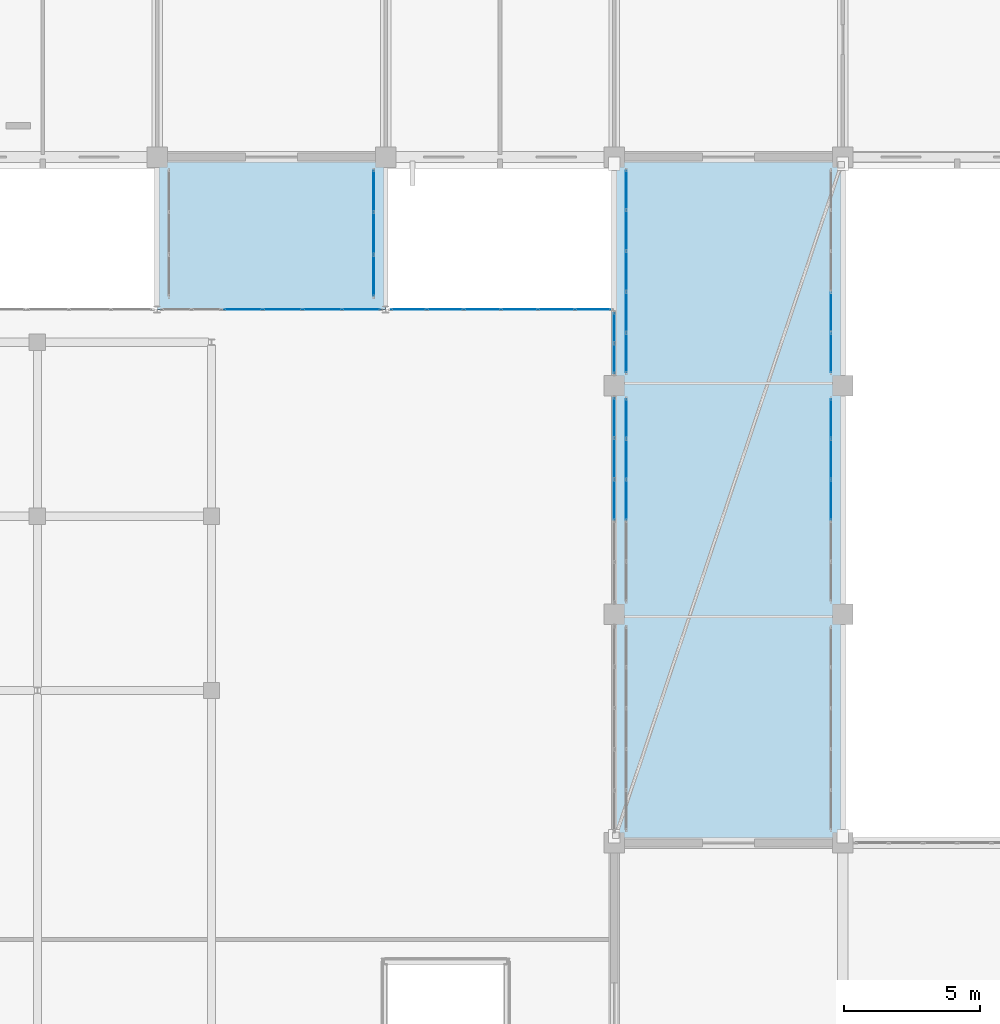
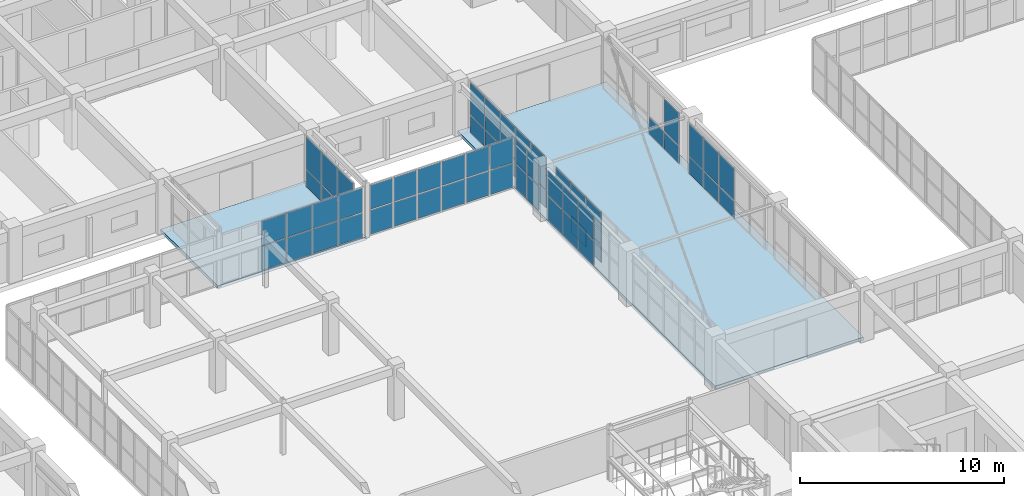
# One storey, part 154 of 200: 61 plates, 2 slabs, 9 elements without a shape of their own.
"""IFC4 building model written with IfcOpenShell, lengths in metres."""

from ifc_helpers import new_model, si_unit, direction, frame, origin, origin_2d, place, context, subcontext, project, spatial, polyline, rectangle, outline, extrude, material, layer, layer_set, type_object, element, aggregate, save


model = new_model("IFC4")

# Units and contexts
model_context = context("Model", 3, precision=1e-05, world=origin(), true_north=direction((0.0, 1.0)))
body_context = subcontext(model_context, "Body", "Model", "MODEL_VIEW")
ifc_project = project(units=[si_unit("LENGTHUNIT", "METRE"), si_unit("AREAUNIT", "SQUARE_METRE"), si_unit("VOLUMEUNIT", "CUBIC_METRE"), si_unit("PLANEANGLEUNIT", "RADIAN"), si_unit("MASSUNIT", "GRAM", prefix="KILO")], contexts=[model_context])

# Site, building, storey
site_placement = place(None, origin())
site = spatial("IfcSite", under=ifc_project, at=site_placement, CompositionType="ELEMENT")
building_placement = place(site_placement, origin())
building = spatial("IfcBuilding", under=site, at=building_placement, Name="Trelvath General Hospital", CompositionType="ELEMENT")
storey_placement = place(building_placement, frame((0.0, 0.0, 4.800048828125)))
storey = spatial("IfcBuildingStorey", under=building, at=storey_placement, Name="L01", CompositionType="ELEMENT", Elevation=4.800048828125)

# Slabs
ifc_material_1 = material(Name="Concrete C35/45", Category="concrete")
ifc_layer_1 = layer(ifc_material_1, 0.18994140625)
ifc_layer_set_1 = layer_set([ifc_layer_1], Name="Concrete C35/45")
slab_type = type_object("IfcSlabType", Name="BridgeDeck 190", PredefinedType="FLOOR", material=ifc_layer_set_1)
slab_1_placement = place(storey_placement, frame((0.0, 0.0, -0.18994140625)))
element("IfcSlab", 1, at=slab_1_placement, inside=storey, type_object=slab_type, Name="Courtyard Bridge Deck BRG-N-C L01", PredefinedType="FLOOR", context=body_context, shape_type="SweptSolid", body=[
    extrude(outline(polyline([(75.60009765625, 67.199951171875), (84.0, 67.199951171875), (84.0, 92.39990234375), (75.60009765625, 92.39990234375), (75.60009765625, 67.199951171875)])), origin(), (0.0, 0.0, 1.0), 0.18994140625),
])
slab_2_placement = place(storey_placement, frame((0.0, 0.0, -0.18994140625)))
element("IfcSlab", 2, at=slab_2_placement, inside=storey, type_object=slab_type, Name="Courtyard Bridge Deck BRG-N-W L01", PredefinedType="FLOOR", context=body_context, shape_type="SweptSolid", body=[
    extrude(outline(polyline([(58.800048828125, 86.800048828125), (67.199951171875, 86.800048828125), (67.199951171875, 92.39990234375), (58.800048828125, 92.39990234375), (58.800048828125, 86.800048828125)])), origin(), (0.0, 0.0, 1.0), 0.18994140625),
])

# Curtain wall, plates
ifc_material_2 = material(Name="Anodised aluminium and low-E glass", Category="aluminium")
ifc_layer_2 = layer(ifc_material_2, 0.14990234375)
ifc_layer_set_2 = layer_set([ifc_layer_2], Name="Anodised aluminium and low-E glass")
curtain_wall_type_1 = type_object("IfcCurtainWallType", Name="CW CrystalCube 583 306 15", PredefinedType="USERDEFINED", material=ifc_layer_set_2)
curtain_wall_1_placement = place(storey_placement, origin())
curtain_wall_1 = element("IfcCurtainWall", 3, at=curtain_wall_1_placement, inside=storey, type_object=curtain_wall_type_1, Name="Crystal Cube Curtain Wall CUBE-W-T0 N4 L01", ObjectType="Unitised Glazed Curtain Wall", PredefinedType="USERDEFINED")
ifc_material_3 = material(Name="Low-E laminated glass", Category="glass")
ifc_layer_3 = layer(ifc_material_3, 0.028076171875)
ifc_layer_set_3 = layer_set([ifc_layer_3], Name="Low-E laminated glass")
plate_type = type_object("IfcPlateType", Name="CurtainPanel Glass28", PredefinedType="CURTAIN_PANEL", material=ifc_layer_set_3)
plate_1_placement = place(storey_placement, frame((61.9638671875, 86.800048828125, 0.06005859375), z_axis=(0.0, 0.0, 1.0), x_axis=(1.0, 0.0, 0.0)))
plate_1 = element("IfcPlate", 4, at=plate_1_placement, type_object=plate_type, Name="CW-136 panel 1.1", PredefinedType="CURTAIN_PANEL", context=body_context, shape_type="SweptSolid", body=[
    extrude(rectangle(XDim=1.367431640625, YDim=0.028076171875, at=origin_2d()), origin(), (0.0, 0.0, 1.0), 1.43994140625),
])
plate_2_placement = place(storey_placement, frame((61.9638671875, 86.800048828125, 1.56005859375), z_axis=(0.0, 0.0, 1.0), x_axis=(1.0, 0.0, 0.0)))
plate_2 = element("IfcPlate", 5, at=plate_2_placement, type_object=plate_type, Name="CW-136 panel 1.2", PredefinedType="CURTAIN_PANEL", context=body_context, shape_type="SweptSolid", body=[
    extrude(rectangle(XDim=1.367431640625, YDim=0.028076171875, at=origin_2d()), origin(), (0.0, 0.0, 1.0), 1.43994140625),
])
plate_3_placement = place(storey_placement, frame((63.40625, 86.800048828125, 0.06005859375), z_axis=(0.0, 0.0, 1.0), x_axis=(1.0, 0.0, 0.0)))
plate_3 = element("IfcPlate", 6, at=plate_3_placement, type_object=plate_type, Name="CW-136 panel 2.1", PredefinedType="CURTAIN_PANEL", context=body_context, shape_type="SweptSolid", body=[
    extrude(rectangle(XDim=1.3974609375, YDim=0.028076171875, at=origin_2d()), origin(), (0.0, 0.0, 1.0), 1.43994140625),
])
plate_4_placement = place(storey_placement, frame((63.40625, 86.800048828125, 1.56005859375), z_axis=(0.0, 0.0, 1.0), x_axis=(1.0, 0.0, 0.0)))
plate_4 = element("IfcPlate", 7, at=plate_4_placement, type_object=plate_type, Name="CW-136 panel 2.2", PredefinedType="CURTAIN_PANEL", context=body_context, shape_type="SweptSolid", body=[
    extrude(rectangle(XDim=1.3974609375, YDim=0.028076171875, at=origin_2d()), origin(), (0.0, 0.0, 1.0), 1.43994140625),
])
plate_5_placement = place(storey_placement, frame((64.86376953125, 86.800048828125, 0.06005859375), z_axis=(0.0, 0.0, 1.0), x_axis=(1.0, 0.0, 0.0)))
plate_5 = element("IfcPlate", 8, at=plate_5_placement, type_object=plate_type, Name="CW-136 panel 3.1", PredefinedType="CURTAIN_PANEL", context=body_context, shape_type="SweptSolid", body=[
    extrude(rectangle(XDim=1.3974609375, YDim=0.028076171875, at=origin_2d()), origin(), (0.0, 0.0, 1.0), 1.43994140625),
])
plate_6_placement = place(storey_placement, frame((64.86376953125, 86.800048828125, 1.56005859375), z_axis=(0.0, 0.0, 1.0), x_axis=(1.0, 0.0, 0.0)))
plate_6 = element("IfcPlate", 9, at=plate_6_placement, type_object=plate_type, Name="CW-136 panel 3.2", PredefinedType="CURTAIN_PANEL", context=body_context, shape_type="SweptSolid", body=[
    extrude(rectangle(XDim=1.3974609375, YDim=0.028076171875, at=origin_2d()), origin(), (0.0, 0.0, 1.0), 1.43994140625),
])
plate_7_placement = place(storey_placement, frame((66.30615234375, 86.800048828125, 0.06005859375), z_axis=(0.0, 0.0, 1.0), x_axis=(1.0, 0.0, 0.0)))
plate_7 = element("IfcPlate", 10, at=plate_7_placement, type_object=plate_type, Name="CW-136 panel 4.1", PredefinedType="CURTAIN_PANEL", context=body_context, shape_type="SweptSolid", body=[
    extrude(rectangle(XDim=1.367431640625, YDim=0.028076171875, at=origin_2d()), origin(), (0.0, 0.0, 1.0), 1.43994140625),
])
plate_8_placement = place(storey_placement, frame((66.30615234375, 86.800048828125, 1.56005859375), z_axis=(0.0, 0.0, 1.0), x_axis=(1.0, 0.0, 0.0)))
plate_8 = element("IfcPlate", 11, at=plate_8_placement, type_object=plate_type, Name="CW-136 panel 4.2", PredefinedType="CURTAIN_PANEL", context=body_context, shape_type="SweptSolid", body=[
    extrude(rectangle(XDim=1.367431640625, YDim=0.028076171875, at=origin_2d()), origin(), (0.0, 0.0, 1.0), 1.43994140625),
])
aggregate(curtain_wall_1, [plate_1, plate_2, plate_3, plate_4, plate_5, plate_6, plate_7, plate_8])

ifc_material_4 = material(Name="Anodised aluminium and low-E glass", Category="aluminium")
ifc_layer_4 = layer(ifc_material_4, 0.14990234375)
ifc_layer_set_4 = layer_set([ifc_layer_4], Name="Anodised aluminium and low-E glass")
curtain_wall_type_2 = type_object("IfcCurtainWallType", Name="CW CrystalCube 817 306 15", PredefinedType="USERDEFINED", material=ifc_layer_set_4)
curtain_wall_2_placement = place(storey_placement, origin())
curtain_wall_2 = element("IfcCurtainWall", 12, at=curtain_wall_2_placement, inside=storey, type_object=curtain_wall_type_2, Name="Crystal Cube Curtain Wall CUBE-W-T0 N5 L01", ObjectType="Unitised Glazed Curtain Wall", PredefinedType="USERDEFINED")
plate_9_placement = place(storey_placement, frame((68.0458984375, 86.800048828125, 0.06005859375), z_axis=(0.0, 0.0, 1.0), x_axis=(1.0, 0.0, 0.0)))
plate_9 = element("IfcPlate", 13, at=plate_9_placement, type_object=plate_type, Name="CW-137 panel 1.1", PredefinedType="CURTAIN_PANEL", context=body_context, shape_type="SweptSolid", body=[
    extrude(rectangle(XDim=1.271728515625, YDim=0.028076171875, at=origin_2d()), origin(), (0.0, 0.0, 1.0), 1.43994140625),
])
plate_10_placement = place(storey_placement, frame((68.0458984375, 86.800048828125, 1.56005859375), z_axis=(0.0, 0.0, 1.0), x_axis=(1.0, 0.0, 0.0)))
plate_10 = element("IfcPlate", 14, at=plate_10_placement, type_object=plate_type, Name="CW-137 panel 1.2", PredefinedType="CURTAIN_PANEL", context=body_context, shape_type="SweptSolid", body=[
    extrude(rectangle(XDim=1.271728515625, YDim=0.028076171875, at=origin_2d()), origin(), (0.0, 0.0, 1.0), 1.43994140625),
])
plate_11_placement = place(storey_placement, frame((69.392578125, 86.800048828125, 0.06005859375), z_axis=(0.0, 0.0, 1.0), x_axis=(1.0, 0.0, 0.0)))
plate_11 = element("IfcPlate", 15, at=plate_11_placement, type_object=plate_type, Name="CW-137 panel 2.1", PredefinedType="CURTAIN_PANEL", context=body_context, shape_type="SweptSolid", body=[
    extrude(rectangle(XDim=1.3017578125, YDim=0.028076171875, at=origin_2d()), origin(), (0.0, 0.0, 1.0), 1.43994140625),
])
plate_12_placement = place(storey_placement, frame((69.392578125, 86.800048828125, 1.56005859375), z_axis=(0.0, 0.0, 1.0), x_axis=(1.0, 0.0, 0.0)))
plate_12 = element("IfcPlate", 16, at=plate_12_placement, type_object=plate_type, Name="CW-137 panel 2.2", PredefinedType="CURTAIN_PANEL", context=body_context, shape_type="SweptSolid", body=[
    extrude(rectangle(XDim=1.3017578125, YDim=0.028076171875, at=origin_2d()), origin(), (0.0, 0.0, 1.0), 1.43994140625),
])
plate_13_placement = place(storey_placement, frame((70.754150390625, 86.800048828125, 0.06005859375), z_axis=(0.0, 0.0, 1.0), x_axis=(1.0, 0.0, 0.0)))
plate_13 = element("IfcPlate", 17, at=plate_13_placement, type_object=plate_type, Name="CW-137 panel 3.1", PredefinedType="CURTAIN_PANEL", context=body_context, shape_type="SweptSolid", body=[
    extrude(rectangle(XDim=1.3017578125, YDim=0.028076171875, at=origin_2d()), origin(), (0.0, 0.0, 1.0), 1.43994140625),
])
plate_14_placement = place(storey_placement, frame((70.754150390625, 86.800048828125, 1.56005859375), z_axis=(0.0, 0.0, 1.0), x_axis=(1.0, 0.0, 0.0)))
plate_14 = element("IfcPlate", 18, at=plate_14_placement, type_object=plate_type, Name="CW-137 panel 3.2", PredefinedType="CURTAIN_PANEL", context=body_context, shape_type="SweptSolid", body=[
    extrude(rectangle(XDim=1.3017578125, YDim=0.028076171875, at=origin_2d()), origin(), (0.0, 0.0, 1.0), 1.43994140625),
])
plate_15_placement = place(storey_placement, frame((72.11572265625, 86.800048828125, 0.06005859375), z_axis=(0.0, 0.0, 1.0), x_axis=(1.0, 0.0, 0.0)))
plate_15 = element("IfcPlate", 19, at=plate_15_placement, type_object=plate_type, Name="CW-137 panel 4.1", PredefinedType="CURTAIN_PANEL", context=body_context, shape_type="SweptSolid", body=[
    extrude(rectangle(XDim=1.3017578125, YDim=0.028076171875, at=origin_2d()), origin(), (0.0, 0.0, 1.0), 1.43994140625),
])
plate_16_placement = place(storey_placement, frame((72.11572265625, 86.800048828125, 1.56005859375), z_axis=(0.0, 0.0, 1.0), x_axis=(1.0, 0.0, 0.0)))
plate_16 = element("IfcPlate", 20, at=plate_16_placement, type_object=plate_type, Name="CW-137 panel 4.2", PredefinedType="CURTAIN_PANEL", context=body_context, shape_type="SweptSolid", body=[
    extrude(rectangle(XDim=1.3017578125, YDim=0.028076171875, at=origin_2d()), origin(), (0.0, 0.0, 1.0), 1.43994140625),
])
plate_17_placement = place(storey_placement, frame((73.4775390625, 86.800048828125, 0.06005859375), z_axis=(0.0, 0.0, 1.0), x_axis=(1.0, 0.0, 0.0)))
plate_17 = element("IfcPlate", 21, at=plate_17_placement, type_object=plate_type, Name="CW-137 panel 5.1", PredefinedType="CURTAIN_PANEL", context=body_context, shape_type="SweptSolid", body=[
    extrude(rectangle(XDim=1.3017578125, YDim=0.028076171875, at=origin_2d()), origin(), (0.0, 0.0, 1.0), 1.43994140625),
])
plate_18_placement = place(storey_placement, frame((73.4775390625, 86.800048828125, 1.56005859375), z_axis=(0.0, 0.0, 1.0), x_axis=(1.0, 0.0, 0.0)))
plate_18 = element("IfcPlate", 22, at=plate_18_placement, type_object=plate_type, Name="CW-137 panel 5.2", PredefinedType="CURTAIN_PANEL", context=body_context, shape_type="SweptSolid", body=[
    extrude(rectangle(XDim=1.3017578125, YDim=0.028076171875, at=origin_2d()), origin(), (0.0, 0.0, 1.0), 1.43994140625),
])
plate_19_placement = place(storey_placement, frame((74.82421875, 86.800048828125, 0.06005859375), z_axis=(0.0, 0.0, 1.0), x_axis=(1.0, 0.0, 0.0)))
plate_19 = element("IfcPlate", 23, at=plate_19_placement, type_object=plate_type, Name="CW-137 panel 6.1", PredefinedType="CURTAIN_PANEL", context=body_context, shape_type="SweptSolid", body=[
    extrude(rectangle(XDim=1.271728515625, YDim=0.028076171875, at=origin_2d()), origin(), (0.0, 0.0, 1.0), 1.43994140625),
])
plate_20_placement = place(storey_placement, frame((74.82421875, 86.800048828125, 1.56005859375), z_axis=(0.0, 0.0, 1.0), x_axis=(1.0, 0.0, 0.0)))
plate_20 = element("IfcPlate", 24, at=plate_20_placement, type_object=plate_type, Name="CW-137 panel 6.2", PredefinedType="CURTAIN_PANEL", context=body_context, shape_type="SweptSolid", body=[
    extrude(rectangle(XDim=1.271728515625, YDim=0.028076171875, at=origin_2d()), origin(), (0.0, 0.0, 1.0), 1.43994140625),
])
aggregate(curtain_wall_2, [plate_9, plate_10, plate_11, plate_12, plate_13, plate_14, plate_15, plate_16, plate_17, plate_18, plate_19, plate_20])

ifc_material_5 = material(Name="Anodised aluminium and low-E glass", Category="aluminium")
ifc_layer_5 = layer(ifc_material_5, 0.14990234375)
ifc_layer_set_5 = layer_set([ifc_layer_5], Name="Anodised aluminium and low-E glass")
curtain_wall_type_3 = type_object("IfcCurtainWallType", Name="CW CrystalCube 759 306 15", PredefinedType="USERDEFINED", material=ifc_layer_set_5)
curtain_wall_3_placement = place(storey_placement, origin())
curtain_wall_3 = element("IfcCurtainWall", 25, at=curtain_wall_3_placement, inside=storey, type_object=curtain_wall_type_3, Name="Crystal Cube Curtain Wall CUBE-W-T0 E6 L01", ObjectType="Unitised Glazed Curtain Wall", PredefinedType="USERDEFINED")
plate_21_placement = place(storey_placement, frame((75.60009765625, 82.821044921875, 0.06005859375), z_axis=(0.0, 0.0, 1.0), x_axis=(0.0, -1.0, 0.0)))
plate_21 = element("IfcPlate", 26, at=plate_21_placement, type_object=plate_type, Name="CW-147 panel 1.1", PredefinedType="CURTAIN_PANEL", context=body_context, shape_type="SweptSolid", body=[
    extrude(rectangle(XDim=1.427978515625, YDim=0.028076171875, at=origin_2d()), origin(), (0.0, 0.0, 1.0), 1.43994140625),
])
plate_22_placement = place(storey_placement, frame((75.60009765625, 82.821044921875, 1.56005859375), z_axis=(0.0, 0.0, 1.0), x_axis=(0.0, -1.0, 0.0)))
plate_22 = element("IfcPlate", 27, at=plate_22_placement, type_object=plate_type, Name="CW-147 panel 1.2", PredefinedType="CURTAIN_PANEL", context=body_context, shape_type="SweptSolid", body=[
    extrude(rectangle(XDim=1.427978515625, YDim=0.028076171875, at=origin_2d()), origin(), (0.0, 0.0, 1.0), 1.43994140625),
])
plate_23_placement = place(storey_placement, frame((75.60009765625, 81.318115234375, 0.06005859375), z_axis=(0.0, 0.0, 1.0), x_axis=(0.0, -1.0, 0.0)))
plate_23 = element("IfcPlate", 28, at=plate_23_placement, type_object=plate_type, Name="CW-147 panel 2.1", PredefinedType="CURTAIN_PANEL", context=body_context, shape_type="SweptSolid", body=[
    extrude(rectangle(XDim=1.4580078125, YDim=0.028076171875, at=origin_2d()), origin(), (0.0, 0.0, 1.0), 1.43994140625),
])
plate_24_placement = place(storey_placement, frame((75.60009765625, 81.318115234375, 1.56005859375), z_axis=(0.0, 0.0, 1.0), x_axis=(0.0, -1.0, 0.0)))
plate_24 = element("IfcPlate", 29, at=plate_24_placement, type_object=plate_type, Name="CW-147 panel 2.2", PredefinedType="CURTAIN_PANEL", context=body_context, shape_type="SweptSolid", body=[
    extrude(rectangle(XDim=1.4580078125, YDim=0.028076171875, at=origin_2d()), origin(), (0.0, 0.0, 1.0), 1.43994140625),
])
plate_25_placement = place(storey_placement, frame((75.60009765625, 79.800048828125, 0.06005859375), z_axis=(0.0, 0.0, 1.0), x_axis=(0.0, -1.0, 0.0)))
plate_25 = element("IfcPlate", 30, at=plate_25_placement, type_object=plate_type, Name="CW-147 panel 3.1", PredefinedType="CURTAIN_PANEL", context=body_context, shape_type="SweptSolid", body=[
    extrude(rectangle(XDim=1.4580078125, YDim=0.028076171875, at=origin_2d()), origin(), (0.0, 0.0, 1.0), 1.43994140625),
])
plate_26_placement = place(storey_placement, frame((75.60009765625, 79.800048828125, 1.56005859375), z_axis=(0.0, 0.0, 1.0), x_axis=(0.0, -1.0, 0.0)))
plate_26 = element("IfcPlate", 31, at=plate_26_placement, type_object=plate_type, Name="CW-147 panel 3.2", PredefinedType="CURTAIN_PANEL", context=body_context, shape_type="SweptSolid", body=[
    extrude(rectangle(XDim=1.4580078125, YDim=0.028076171875, at=origin_2d()), origin(), (0.0, 0.0, 1.0), 1.43994140625),
])
aggregate(curtain_wall_3, [plate_21, plate_22, plate_23, plate_24, plate_25, plate_26])

ifc_material_6 = material(Name="Anodised aluminium and low-E glass", Category="aluminium")
ifc_layer_6 = layer(ifc_material_6, 0.14990234375)
ifc_layer_set_6 = layer_set([ifc_layer_6], Name="Anodised aluminium and low-E glass")
curtain_wall_type_4 = type_object("IfcCurtainWallType", Name="CW CrystalCube 232 306 15", PredefinedType="USERDEFINED", material=ifc_layer_set_6)
curtain_wall_4_placement = place(storey_placement, origin())
curtain_wall_4 = element("IfcCurtainWall", 32, at=curtain_wall_4_placement, inside=storey, type_object=curtain_wall_type_4, Name="Crystal Cube Curtain Wall CUBE-W-T0 E7 L01", ObjectType="Unitised Glazed Curtain Wall", PredefinedType="USERDEFINED")
plate_27_placement = place(storey_placement, frame((75.60009765625, 86.126220703125, 0.06005859375), z_axis=(0.0, 0.0, 1.0), x_axis=(0.0, -1.0, 0.0)))
plate_27 = element("IfcPlate", 33, at=plate_27_placement, type_object=plate_type, Name="CW-149 panel 1.1", PredefinedType="CURTAIN_PANEL", context=body_context, shape_type="SweptSolid", body=[
    extrude(rectangle(XDim=1.0673828125, YDim=0.028076171875, at=origin_2d()), origin(), (0.0, 0.0, 1.0), 1.43994140625),
])
plate_28_placement = place(storey_placement, frame((75.60009765625, 86.126220703125, 1.56005859375), z_axis=(0.0, 0.0, 1.0), x_axis=(0.0, -1.0, 0.0)))
plate_28 = element("IfcPlate", 34, at=plate_28_placement, type_object=plate_type, Name="CW-149 panel 1.2", PredefinedType="CURTAIN_PANEL", context=body_context, shape_type="SweptSolid", body=[
    extrude(rectangle(XDim=1.0673828125, YDim=0.028076171875, at=origin_2d()), origin(), (0.0, 0.0, 1.0), 1.43994140625),
])
plate_29_placement = place(storey_placement, frame((75.60009765625, 84.998779296875, 0.06005859375), z_axis=(0.0, 0.0, 1.0), x_axis=(0.0, -1.0, 0.0)))
plate_29 = element("IfcPlate", 35, at=plate_29_placement, type_object=plate_type, Name="CW-149 panel 2.1", PredefinedType="CURTAIN_PANEL", context=body_context, shape_type="SweptSolid", body=[
    extrude(rectangle(XDim=1.0673828125, YDim=0.028076171875, at=origin_2d()), origin(), (0.0, 0.0, 1.0), 1.43994140625),
])
plate_30_placement = place(storey_placement, frame((75.60009765625, 84.998779296875, 1.56005859375), z_axis=(0.0, 0.0, 1.0), x_axis=(0.0, -1.0, 0.0)))
plate_30 = element("IfcPlate", 36, at=plate_30_placement, type_object=plate_type, Name="CW-149 panel 2.2", PredefinedType="CURTAIN_PANEL", context=body_context, shape_type="SweptSolid", body=[
    extrude(rectangle(XDim=1.0673828125, YDim=0.028076171875, at=origin_2d()), origin(), (0.0, 0.0, 1.0), 1.43994140625),
])
aggregate(curtain_wall_4, [plate_27, plate_28, plate_29, plate_30])

ifc_material_7 = material(Name="Anodised aluminium and low-E glass", Category="aluminium")
ifc_layer_7 = layer(ifc_material_7, 0.139892578125)
ifc_layer_set_7 = layer_set([ifc_layer_7], Name="Anodised aluminium and low-E glass")
curtain_wall_type_5 = type_object("IfcCurtainWallType", Name="CW Bridge 752 311", PredefinedType="USERDEFINED", material=ifc_layer_set_7)
curtain_wall_5_placement = place(storey_placement, origin())
curtain_wall_5 = element("IfcCurtainWall", 37, at=curtain_wall_5_placement, inside=storey, type_object=curtain_wall_type_5, Name="Glazed Bridge Curtain Wall BRG-N-C W L01", ObjectType="Unitised Glazed Curtain Wall", PredefinedType="USERDEFINED")
plate_31_placement = place(storey_placement, frame((76.0400390625, 79.800048828125, 0.06005859375), z_axis=(0.0, 0.0, 1.0), x_axis=(0.0, 1.0, 0.0)))
plate_31 = element("IfcPlate", 38, at=plate_31_placement, type_object=plate_type, Name="CW-174 panel 3.1", PredefinedType="CURTAIN_PANEL", context=body_context, shape_type="SweptSolid", body=[
    extrude(rectangle(XDim=1.444091796875, YDim=0.028076171875, at=origin_2d()), origin(), (0.0, 0.0, 1.0), 1.010009765625),
])
plate_32_placement = place(storey_placement, frame((76.0400390625, 79.800048828125, 1.1298828125), z_axis=(0.0, 0.0, 1.0), x_axis=(0.0, 1.0, 0.0)))
plate_32 = element("IfcPlate", 39, at=plate_32_placement, type_object=plate_type, Name="CW-174 panel 3.2", PredefinedType="CURTAIN_PANEL", context=body_context, shape_type="SweptSolid", body=[
    extrude(rectangle(XDim=1.444091796875, YDim=0.028076171875, at=origin_2d()), origin(), (0.0, 0.0, 1.0), 1.919921875),
])
plate_33_placement = place(storey_placement, frame((76.0400390625, 81.303955078125, 0.06005859375), z_axis=(0.0, 0.0, 1.0), x_axis=(0.0, 1.0, 0.0)))
plate_33 = element("IfcPlate", 40, at=plate_33_placement, type_object=plate_type, Name="CW-174 panel 4.1", PredefinedType="CURTAIN_PANEL", context=body_context, shape_type="SweptSolid", body=[
    extrude(rectangle(XDim=1.444091796875, YDim=0.028076171875, at=origin_2d()), origin(), (0.0, 0.0, 1.0), 1.010009765625),
])
plate_34_placement = place(storey_placement, frame((76.0400390625, 81.303955078125, 1.1298828125), z_axis=(0.0, 0.0, 1.0), x_axis=(0.0, 1.0, 0.0)))
plate_34 = element("IfcPlate", 41, at=plate_34_placement, type_object=plate_type, Name="CW-174 panel 4.2", PredefinedType="CURTAIN_PANEL", context=body_context, shape_type="SweptSolid", body=[
    extrude(rectangle(XDim=1.444091796875, YDim=0.028076171875, at=origin_2d()), origin(), (0.0, 0.0, 1.0), 1.919921875),
])
plate_35_placement = place(storey_placement, frame((76.0400390625, 82.79296875, 0.06005859375), z_axis=(0.0, 0.0, 1.0), x_axis=(0.0, 1.0, 0.0)))
plate_35 = element("IfcPlate", 42, at=plate_35_placement, type_object=plate_type, Name="CW-174 panel 5.1", PredefinedType="CURTAIN_PANEL", context=body_context, shape_type="SweptSolid", body=[
    extrude(rectangle(XDim=1.4140625, YDim=0.028076171875, at=origin_2d()), origin(), (0.0, 0.0, 1.0), 1.010009765625),
])
plate_36_placement = place(storey_placement, frame((76.0400390625, 82.79296875, 1.1298828125), z_axis=(0.0, 0.0, 1.0), x_axis=(0.0, 1.0, 0.0)))
plate_36 = element("IfcPlate", 43, at=plate_36_placement, type_object=plate_type, Name="CW-174 panel 5.2", PredefinedType="CURTAIN_PANEL", context=body_context, shape_type="SweptSolid", body=[
    extrude(rectangle(XDim=1.4140625, YDim=0.028076171875, at=origin_2d()), origin(), (0.0, 0.0, 1.0), 1.919921875),
])
aggregate(curtain_wall_5, [plate_31, plate_32, plate_33, plate_34, plate_35, plate_36])

curtain_wall_6_placement = place(storey_placement, origin())
curtain_wall_6 = element("IfcCurtainWall", 44, at=curtain_wall_6_placement, inside=storey, type_object=curtain_wall_type_5, Name="Glazed Bridge Curtain Wall BRG-N-C E L01", ObjectType="Unitised Glazed Curtain Wall", PredefinedType="USERDEFINED")
plate_37_placement = place(storey_placement, frame((83.56005859375, 82.79296875, 0.06005859375), z_axis=(0.0, 0.0, 1.0), x_axis=(0.0, -1.0, 0.0)))
plate_37 = element("IfcPlate", 45, at=plate_37_placement, type_object=plate_type, Name="CW-175 panel 1.1", PredefinedType="CURTAIN_PANEL", context=body_context, shape_type="SweptSolid", body=[
    extrude(rectangle(XDim=1.4140625, YDim=0.028076171875, at=origin_2d()), origin(), (0.0, 0.0, 1.0), 1.010009765625),
])
plate_38_placement = place(storey_placement, frame((83.56005859375, 82.79296875, 1.1298828125), z_axis=(0.0, 0.0, 1.0), x_axis=(0.0, -1.0, 0.0)))
plate_38 = element("IfcPlate", 46, at=plate_38_placement, type_object=plate_type, Name="CW-175 panel 1.2", PredefinedType="CURTAIN_PANEL", context=body_context, shape_type="SweptSolid", body=[
    extrude(rectangle(XDim=1.4140625, YDim=0.028076171875, at=origin_2d()), origin(), (0.0, 0.0, 1.0), 1.919921875),
])
plate_39_placement = place(storey_placement, frame((83.56005859375, 81.303955078125, 0.06005859375), z_axis=(0.0, 0.0, 1.0), x_axis=(0.0, -1.0, 0.0)))
plate_39 = element("IfcPlate", 47, at=plate_39_placement, type_object=plate_type, Name="CW-175 panel 2.1", PredefinedType="CURTAIN_PANEL", context=body_context, shape_type="SweptSolid", body=[
    extrude(rectangle(XDim=1.444091796875, YDim=0.028076171875, at=origin_2d()), origin(), (0.0, 0.0, 1.0), 1.010009765625),
])
plate_40_placement = place(storey_placement, frame((83.56005859375, 81.303955078125, 1.1298828125), z_axis=(0.0, 0.0, 1.0), x_axis=(0.0, -1.0, 0.0)))
plate_40 = element("IfcPlate", 48, at=plate_40_placement, type_object=plate_type, Name="CW-175 panel 2.2", PredefinedType="CURTAIN_PANEL", context=body_context, shape_type="SweptSolid", body=[
    extrude(rectangle(XDim=1.444091796875, YDim=0.028076171875, at=origin_2d()), origin(), (0.0, 0.0, 1.0), 1.919921875),
])
plate_41_placement = place(storey_placement, frame((83.56005859375, 79.800048828125, 0.06005859375), z_axis=(0.0, 0.0, 1.0), x_axis=(0.0, -1.0, 0.0)))
plate_41 = element("IfcPlate", 49, at=plate_41_placement, type_object=plate_type, Name="CW-175 panel 3.1", PredefinedType="CURTAIN_PANEL", context=body_context, shape_type="SweptSolid", body=[
    extrude(rectangle(XDim=1.444091796875, YDim=0.028076171875, at=origin_2d()), origin(), (0.0, 0.0, 1.0), 1.010009765625),
])
plate_42_placement = place(storey_placement, frame((83.56005859375, 79.800048828125, 1.1298828125), z_axis=(0.0, 0.0, 1.0), x_axis=(0.0, -1.0, 0.0)))
plate_42 = element("IfcPlate", 50, at=plate_42_placement, type_object=plate_type, Name="CW-175 panel 3.2", PredefinedType="CURTAIN_PANEL", context=body_context, shape_type="SweptSolid", body=[
    extrude(rectangle(XDim=1.444091796875, YDim=0.028076171875, at=origin_2d()), origin(), (0.0, 0.0, 1.0), 1.919921875),
])
aggregate(curtain_wall_6, [plate_37, plate_38, plate_39, plate_40, plate_41, plate_42])

curtain_wall_7_placement = place(storey_placement, origin())
curtain_wall_7 = element("IfcCurtainWall", 51, at=curtain_wall_7_placement, inside=storey, type_object=curtain_wall_type_5, Name="Glazed Bridge Curtain Wall BRG-N-C W L01", ObjectType="Unitised Glazed Curtain Wall", PredefinedType="USERDEFINED")
plate_43_placement = place(storey_placement, frame((76.0400390625, 85.20703125, 0.06005859375), z_axis=(0.0, 0.0, 1.0), x_axis=(0.0, 1.0, 0.0)))
plate_43 = element("IfcPlate", 52, at=plate_43_placement, type_object=plate_type, Name="CW-176 panel 1.1", PredefinedType="CURTAIN_PANEL", context=body_context, shape_type="SweptSolid", body=[
    extrude(rectangle(XDim=1.4140625, YDim=0.028076171875, at=origin_2d()), origin(), (0.0, 0.0, 1.0), 1.010009765625),
])
plate_44_placement = place(storey_placement, frame((76.0400390625, 85.20703125, 1.1298828125), z_axis=(0.0, 0.0, 1.0), x_axis=(0.0, 1.0, 0.0)))
plate_44 = element("IfcPlate", 53, at=plate_44_placement, type_object=plate_type, Name="CW-176 panel 1.2", PredefinedType="CURTAIN_PANEL", context=body_context, shape_type="SweptSolid", body=[
    extrude(rectangle(XDim=1.4140625, YDim=0.028076171875, at=origin_2d()), origin(), (0.0, 0.0, 1.0), 1.919921875),
])
plate_45_placement = place(storey_placement, frame((76.0400390625, 86.696044921875, 0.06005859375), z_axis=(0.0, 0.0, 1.0), x_axis=(0.0, 1.0, 0.0)))
plate_45 = element("IfcPlate", 54, at=plate_45_placement, type_object=plate_type, Name="CW-176 panel 2.1", PredefinedType="CURTAIN_PANEL", context=body_context, shape_type="SweptSolid", body=[
    extrude(rectangle(XDim=1.444091796875, YDim=0.028076171875, at=origin_2d()), origin(), (0.0, 0.0, 1.0), 1.010009765625),
])
plate_46_placement = place(storey_placement, frame((76.0400390625, 86.696044921875, 1.1298828125), z_axis=(0.0, 0.0, 1.0), x_axis=(0.0, 1.0, 0.0)))
plate_46 = element("IfcPlate", 55, at=plate_46_placement, type_object=plate_type, Name="CW-176 panel 2.2", PredefinedType="CURTAIN_PANEL", context=body_context, shape_type="SweptSolid", body=[
    extrude(rectangle(XDim=1.444091796875, YDim=0.028076171875, at=origin_2d()), origin(), (0.0, 0.0, 1.0), 1.919921875),
])
plate_47_placement = place(storey_placement, frame((76.0400390625, 88.199951171875, 0.06005859375), z_axis=(0.0, 0.0, 1.0), x_axis=(0.0, 1.0, 0.0)))
plate_47 = element("IfcPlate", 56, at=plate_47_placement, type_object=plate_type, Name="CW-176 panel 3.1", PredefinedType="CURTAIN_PANEL", context=body_context, shape_type="SweptSolid", body=[
    extrude(rectangle(XDim=1.444091796875, YDim=0.028076171875, at=origin_2d()), origin(), (0.0, 0.0, 1.0), 1.010009765625),
])
plate_48_placement = place(storey_placement, frame((76.0400390625, 88.199951171875, 1.1298828125), z_axis=(0.0, 0.0, 1.0), x_axis=(0.0, 1.0, 0.0)))
plate_48 = element("IfcPlate", 57, at=plate_48_placement, type_object=plate_type, Name="CW-176 panel 3.2", PredefinedType="CURTAIN_PANEL", context=body_context, shape_type="SweptSolid", body=[
    extrude(rectangle(XDim=1.444091796875, YDim=0.028076171875, at=origin_2d()), origin(), (0.0, 0.0, 1.0), 1.919921875),
])
plate_49_placement = place(storey_placement, frame((76.0400390625, 89.7041015625, 0.06005859375), z_axis=(0.0, 0.0, 1.0), x_axis=(0.0, 1.0, 0.0)))
plate_49 = element("IfcPlate", 58, at=plate_49_placement, type_object=plate_type, Name="CW-176 panel 4.1", PredefinedType="CURTAIN_PANEL", context=body_context, shape_type="SweptSolid", body=[
    extrude(rectangle(XDim=1.444091796875, YDim=0.028076171875, at=origin_2d()), origin(), (0.0, 0.0, 1.0), 1.010009765625),
])
plate_50_placement = place(storey_placement, frame((76.0400390625, 89.7041015625, 1.1298828125), z_axis=(0.0, 0.0, 1.0), x_axis=(0.0, 1.0, 0.0)))
plate_50 = element("IfcPlate", 59, at=plate_50_placement, type_object=plate_type, Name="CW-176 panel 4.2", PredefinedType="CURTAIN_PANEL", context=body_context, shape_type="SweptSolid", body=[
    extrude(rectangle(XDim=1.444091796875, YDim=0.028076171875, at=origin_2d()), origin(), (0.0, 0.0, 1.0), 1.919921875),
])
plate_51_placement = place(storey_placement, frame((76.0400390625, 91.193115234375, 0.06005859375), z_axis=(0.0, 0.0, 1.0), x_axis=(0.0, 1.0, 0.0)))
plate_51 = element("IfcPlate", 60, at=plate_51_placement, type_object=plate_type, Name="CW-176 panel 5.1", PredefinedType="CURTAIN_PANEL", context=body_context, shape_type="SweptSolid", body=[
    extrude(rectangle(XDim=1.4140625, YDim=0.028076171875, at=origin_2d()), origin(), (0.0, 0.0, 1.0), 1.010009765625),
])
plate_52_placement = place(storey_placement, frame((76.0400390625, 91.193115234375, 1.1298828125), z_axis=(0.0, 0.0, 1.0), x_axis=(0.0, 1.0, 0.0)))
plate_52 = element("IfcPlate", 61, at=plate_52_placement, type_object=plate_type, Name="CW-176 panel 5.2", PredefinedType="CURTAIN_PANEL", context=body_context, shape_type="SweptSolid", body=[
    extrude(rectangle(XDim=1.4140625, YDim=0.028076171875, at=origin_2d()), origin(), (0.0, 0.0, 1.0), 1.919921875),
])
aggregate(curtain_wall_7, [plate_43, plate_44, plate_45, plate_46, plate_47, plate_48, plate_49, plate_50, plate_51, plate_52])

curtain_wall_8_placement = place(storey_placement, origin())
curtain_wall_8 = element("IfcCurtainWall", 62, at=curtain_wall_8_placement, inside=storey, type_object=curtain_wall_type_5, Name="Glazed Bridge Curtain Wall BRG-N-C E L01", ObjectType="Unitised Glazed Curtain Wall", PredefinedType="USERDEFINED")
plate_53_placement = place(storey_placement, frame((83.56005859375, 86.696044921875, 0.06005859375), z_axis=(0.0, 0.0, 1.0), x_axis=(0.0, -1.0, 0.0)))
plate_53 = element("IfcPlate", 63, at=plate_53_placement, type_object=plate_type, Name="CW-177 panel 4.1", PredefinedType="CURTAIN_PANEL", context=body_context, shape_type="SweptSolid", body=[
    extrude(rectangle(XDim=1.444091796875, YDim=0.028076171875, at=origin_2d()), origin(), (0.0, 0.0, 1.0), 1.010009765625),
])
plate_54_placement = place(storey_placement, frame((83.56005859375, 85.20703125, 0.06005859375), z_axis=(0.0, 0.0, 1.0), x_axis=(0.0, -1.0, 0.0)))
plate_54 = element("IfcPlate", 64, at=plate_54_placement, type_object=plate_type, Name="CW-177 panel 5.1", PredefinedType="CURTAIN_PANEL", context=body_context, shape_type="SweptSolid", body=[
    extrude(rectangle(XDim=1.4140625, YDim=0.028076171875, at=origin_2d()), origin(), (0.0, 0.0, 1.0), 1.010009765625),
])
plate_55_placement = place(storey_placement, frame((83.56005859375, 85.20703125, 1.1298828125), z_axis=(0.0, 0.0, 1.0), x_axis=(0.0, -1.0, 0.0)))
plate_55 = element("IfcPlate", 65, at=plate_55_placement, type_object=plate_type, Name="CW-177 panel 5.2", PredefinedType="CURTAIN_PANEL", context=body_context, shape_type="SweptSolid", body=[
    extrude(rectangle(XDim=1.4140625, YDim=0.028076171875, at=origin_2d()), origin(), (0.0, 0.0, 1.0), 1.919921875),
])
aggregate(curtain_wall_8, [plate_53, plate_54, plate_55])

ifc_material_8 = material(Name="Anodised aluminium and low-E glass", Category="aluminium")
ifc_layer_8 = layer(ifc_material_8, 0.139892578125)
ifc_layer_set_8 = layer_set([ifc_layer_8], Name="Anodised aluminium and low-E glass")
curtain_wall_type_6 = type_object("IfcCurtainWallType", Name="CW Bridge 472 311", PredefinedType="USERDEFINED", material=ifc_layer_set_8)
curtain_wall_9_placement = place(storey_placement, origin())
curtain_wall_9 = element("IfcCurtainWall", 66, at=curtain_wall_9_placement, inside=storey, type_object=curtain_wall_type_6, Name="Glazed Bridge Curtain Wall BRG-N-W E L01", ObjectType="Unitised Glazed Curtain Wall", PredefinedType="USERDEFINED")
plate_56_placement = place(storey_placement, frame((66.760009765625, 91.158447265625, 0.06005859375), z_axis=(0.0, 0.0, 1.0), x_axis=(0.0, -1.0, 0.0)))
plate_56 = element("IfcPlate", 67, at=plate_56_placement, type_object=plate_type, Name="CW-183 panel 1.1", PredefinedType="CURTAIN_PANEL", context=body_context, shape_type="SweptSolid", body=[
    extrude(rectangle(XDim=1.4833984375, YDim=0.028076171875, at=origin_2d()), origin(), (0.0, 0.0, 1.0), 1.010009765625),
])
plate_57_placement = place(storey_placement, frame((66.760009765625, 91.158447265625, 1.1298828125), z_axis=(0.0, 0.0, 1.0), x_axis=(0.0, -1.0, 0.0)))
plate_57 = element("IfcPlate", 68, at=plate_57_placement, type_object=plate_type, Name="CW-183 panel 1.2", PredefinedType="CURTAIN_PANEL", context=body_context, shape_type="SweptSolid", body=[
    extrude(rectangle(XDim=1.4833984375, YDim=0.028076171875, at=origin_2d()), origin(), (0.0, 0.0, 1.0), 1.919921875),
])
plate_58_placement = place(storey_placement, frame((66.760009765625, 89.60009765625, 0.06005859375), z_axis=(0.0, 0.0, 1.0), x_axis=(0.0, -1.0, 0.0)))
plate_58 = element("IfcPlate", 69, at=plate_58_placement, type_object=plate_type, Name="CW-183 panel 2.1", PredefinedType="CURTAIN_PANEL", context=body_context, shape_type="SweptSolid", body=[
    extrude(rectangle(XDim=1.513427734375, YDim=0.028076171875, at=origin_2d()), origin(), (0.0, 0.0, 1.0), 1.010009765625),
])
plate_59_placement = place(storey_placement, frame((66.760009765625, 89.60009765625, 1.1298828125), z_axis=(0.0, 0.0, 1.0), x_axis=(0.0, -1.0, 0.0)))
plate_59 = element("IfcPlate", 70, at=plate_59_placement, type_object=plate_type, Name="CW-183 panel 2.2", PredefinedType="CURTAIN_PANEL", context=body_context, shape_type="SweptSolid", body=[
    extrude(rectangle(XDim=1.513427734375, YDim=0.028076171875, at=origin_2d()), origin(), (0.0, 0.0, 1.0), 1.919921875),
])
plate_60_placement = place(storey_placement, frame((66.760009765625, 88.041748046875, 0.06005859375), z_axis=(0.0, 0.0, 1.0), x_axis=(0.0, -1.0, 0.0)))
plate_60 = element("IfcPlate", 71, at=plate_60_placement, type_object=plate_type, Name="CW-183 panel 3.1", PredefinedType="CURTAIN_PANEL", context=body_context, shape_type="SweptSolid", body=[
    extrude(rectangle(XDim=1.4833984375, YDim=0.028076171875, at=origin_2d()), origin(), (0.0, 0.0, 1.0), 1.010009765625),
])
plate_61_placement = place(storey_placement, frame((66.760009765625, 88.041748046875, 1.1298828125), z_axis=(0.0, 0.0, 1.0), x_axis=(0.0, -1.0, 0.0)))
plate_61 = element("IfcPlate", 72, at=plate_61_placement, type_object=plate_type, Name="CW-183 panel 3.2", PredefinedType="CURTAIN_PANEL", context=body_context, shape_type="SweptSolid", body=[
    extrude(rectangle(XDim=1.4833984375, YDim=0.028076171875, at=origin_2d()), origin(), (0.0, 0.0, 1.0), 1.919921875),
])
aggregate(curtain_wall_9, [plate_56, plate_57, plate_58, plate_59, plate_60, plate_61])

save(model, "model.ifc")
